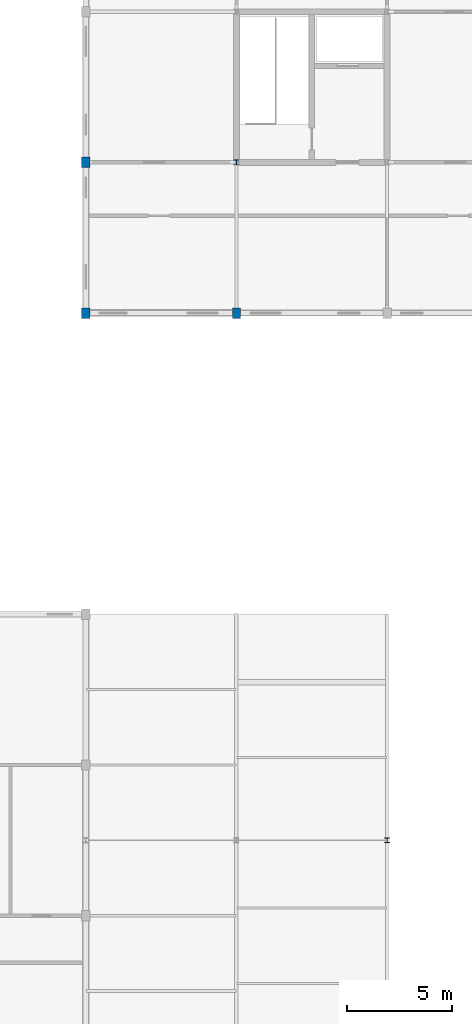
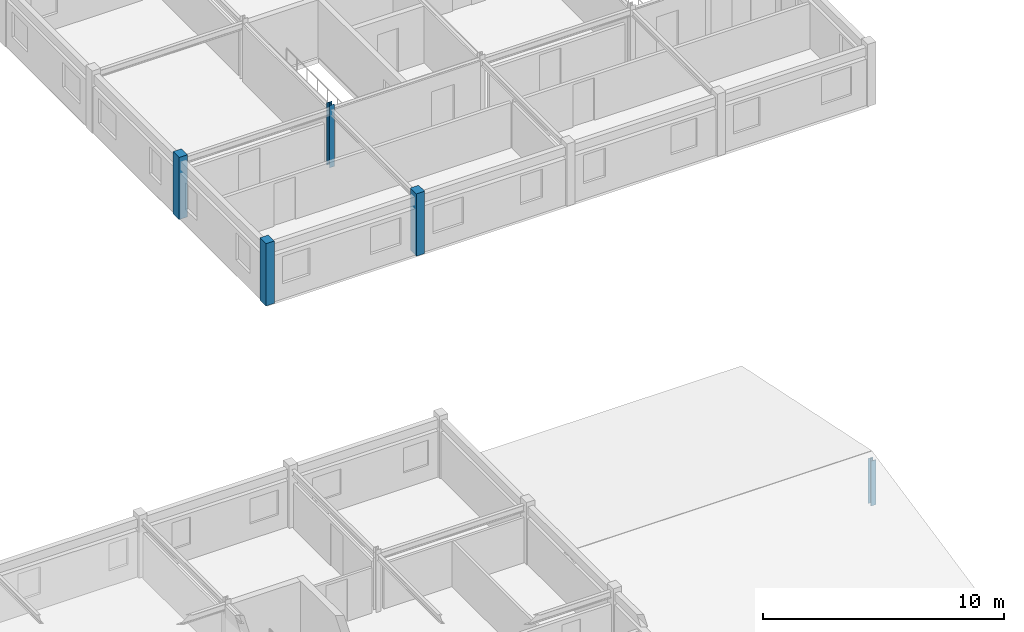
# One storey, part 5 of 50: 5 columns.
"""IFC4 building model written with IfcOpenShell, lengths in metres."""

from ifc_helpers import new_model, si_unit, direction, frame, origin, origin_2d, place, context, subcontext, project, spatial, rectangle, i_section, extrude, material, material_profile, profile_set, type_object, element, save


model = new_model("IFC4")

# Units and contexts
model_context = context("Model", 3, precision=1e-05, world=origin(), true_north=direction((0.0, 1.0)))
body_context = subcontext(model_context, "Body", "Model", "MODEL_VIEW")
ifc_project = project(units=[si_unit("LENGTHUNIT", "METRE"), si_unit("AREAUNIT", "SQUARE_METRE"), si_unit("VOLUMEUNIT", "CUBIC_METRE"), si_unit("PLANEANGLEUNIT", "RADIAN"), si_unit("MASSUNIT", "GRAM", prefix="KILO"), si_unit("THERMODYNAMICTEMPERATUREUNIT", "KELVIN"), si_unit("POWERUNIT", "WATT")], contexts=[model_context])

# Site, building, storey
site_placement = place(None, origin())
site = spatial("IfcSite", under=ifc_project, at=site_placement, CompositionType="ELEMENT")
building_placement = place(site_placement, origin())
building = spatial("IfcBuilding", under=site, at=building_placement, Name="Tavuni Mirador Residences", CompositionType="ELEMENT")
storey_placement = place(building_placement, frame((0.0, 0.0, 4.5)))
storey = spatial("IfcBuildingStorey", under=building, at=storey_placement, Name="L01", CompositionType="ELEMENT", Elevation=4.5)

# Columns
ifc_material_1 = material(Name="Precast concrete C40/50", Category="concrete")
ifc_material_profile_1 = material_profile(ifc_material_1, rectangle(XDim=0.39990234375, YDim=0.5, at=origin_2d()), Name="PC 400x500", Category="concrete")
ifc_profile_set_1 = profile_set([ifc_material_profile_1], Name="Precast concrete C40/50")
column_type_1 = type_object("IfcColumnType", Name="CT-PC400X500", PredefinedType="COLUMN", material=ifc_profile_set_1)
for number, where, z_axis, x_axis, name in (
    (1, (90.0, 43.199951171875, 0.0), (0.0, 0.0, 1.0), (1.0, 0.0, 0.0), "COL-PAV-NURS-L01-00-00"),
    (2, (90.0, 50.39990234375, 0.0), (0.0, 0.0, 1.0), (1.0, 0.0, 0.0), "COL-PAV-NURS-L01-00-01"),
    (3, (97.199951171875, 43.199951171875, 0.0), (0.0, 0.0, 1.0), (1.0, 0.0, 0.0), "COL-PAV-NURS-L01-01-00"),
):
    element("IfcColumn", number, at=place(storey_placement, frame(where, z_axis=z_axis, x_axis=x_axis)), inside=storey, type_object=column_type_1, Name=name, PredefinedType="COLUMN", context=body_context, shape_type="SweptSolid", body=[
        extrude(rectangle(XDim=0.39990234375, YDim=0.5, at=origin_2d()), origin(), (0.0, 0.0, 1.0), 3.14990234375),
    ])
ifc_material_2 = material(Name="Structural steel S355", Category="steel")
ifc_material_profile_2 = material_profile(ifc_material_2, i_section(OverallWidth=0.239990234375, OverallDepth=0.239990234375, WebThickness=0.010009765625, FlangeThickness=0.01708984375, FilletRadius=0.02099609375, at=origin_2d()), Name="HEB 240", Category="steel")
ifc_profile_set_2 = profile_set([ifc_material_profile_2], Name="Structural steel S355")
column_type_2 = type_object("IfcColumnType", Name="CT-ST-HEB240", PredefinedType="COLUMN", material=ifc_profile_set_2)
column_1_placement = place(storey_placement, frame((97.199951171875, 50.39990234375, 0.0), z_axis=(0.0, 0.0, 1.0), x_axis=(1.0, 0.0, 0.0)))
element("IfcColumn", 4, at=column_1_placement, inside=storey, type_object=column_type_2, Name="COL-PAV-NURS-L01-01-01", PredefinedType="COLUMN", context=body_context, shape_type="SweptSolid", body=[
    extrude(i_section(OverallWidth=0.239990234375, OverallDepth=0.239990234375, WebThickness=0.010009765625, FlangeThickness=0.01708984375, FilletRadius=0.02099609375, at=origin_2d()), origin(), (0.0, 0.0, 1.0), 3.14990234375),
])
column_2_placement = place(storey_placement, frame((104.39990234375, 18.0, 0.0), z_axis=(0.0, 0.0, 1.0), x_axis=(1.0, 0.0, 0.0)))
element("IfcColumn", 5, at=column_2_placement, inside=storey, type_object=column_type_2, Name="COL-SHOP-CP-RDG-L01-3", PredefinedType="COLUMN", context=body_context, shape_type="SweptSolid", body=[
    extrude(i_section(OverallWidth=0.239990234375, OverallDepth=0.239990234375, WebThickness=0.010009765625, FlangeThickness=0.01708984375, FilletRadius=0.02099609375, at=origin_2d()), origin(), (0.0, 0.0, 1.0), 2.280029296875),
])

save(model, "model.ifc")
